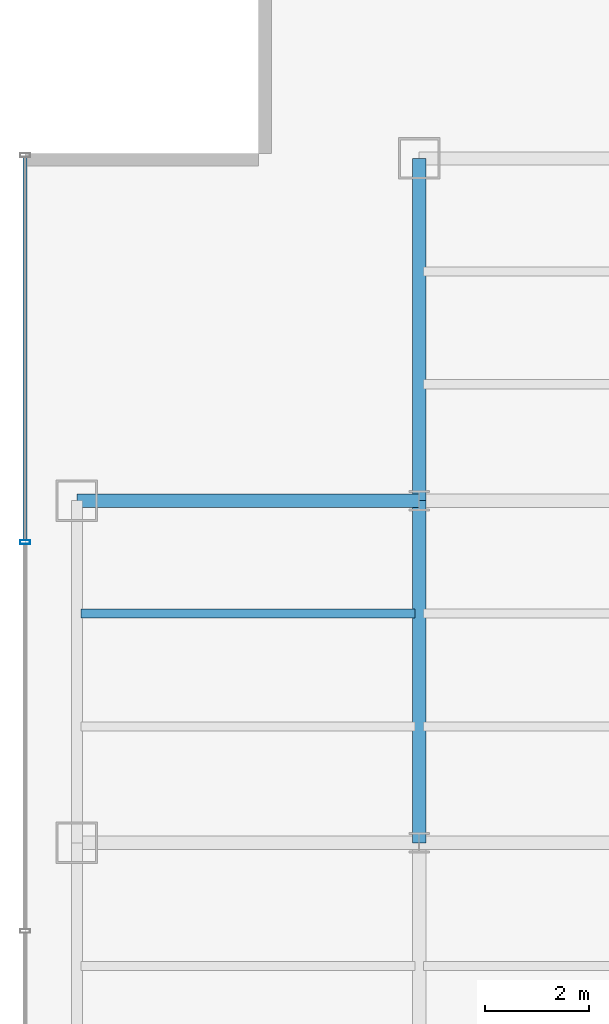
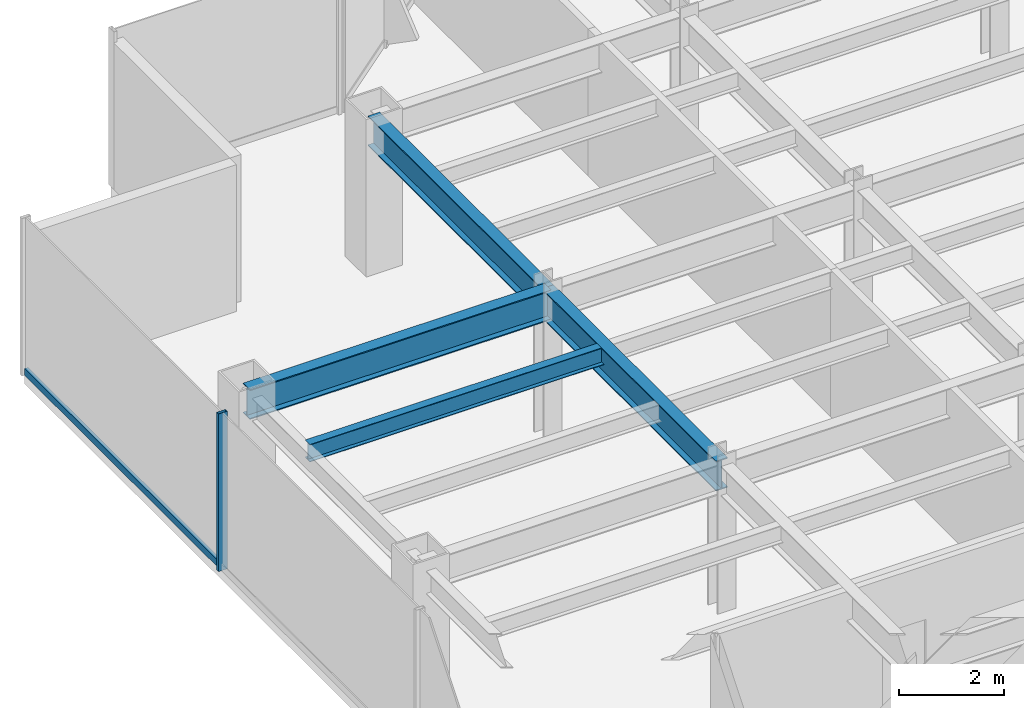
# One storey, part 6 of 26: 4 beams, 2 members, 1 element without a shape of its own.
"""IFC4 building model written with IfcOpenShell, lengths in metres."""

from ifc_helpers import new_model, si_unit, derived_unit, direction, frame, origin, origin_2d, place, context, subcontext, project, spatial, hollow_rectangle, i_section, extrude, source, transform, mapped, material, material_profile, profile_set, type_object, element, aggregate, save


model = new_model("IFC4")

# Units and contexts
model_context = context("Model", 3, precision=1e-05, world=origin(), true_north=direction((0.0, 1.0)))
body_context = subcontext(model_context, "Body", "Model", "MODEL_VIEW")
ifc_project = project(units=[si_unit("LENGTHUNIT", "METRE"), si_unit("AREAUNIT", "SQUARE_METRE"), si_unit("VOLUMEUNIT", "CUBIC_METRE"), si_unit("PLANEANGLEUNIT", "RADIAN"), si_unit("MASSUNIT", "GRAM", prefix="KILO"), derived_unit("THERMALTRANSMITTANCEUNIT", [(si_unit("POWERUNIT", "WATT"), 1), (si_unit("LENGTHUNIT", "METRE"), -2), (si_unit("THERMODYNAMICTEMPERATUREUNIT", "KELVIN"), -1)])], contexts=[model_context])

# Site, building, storey
site_placement = place(None, origin())
site = spatial("IfcSite", under=ifc_project, at=site_placement, CompositionType="ELEMENT")
building_placement = place(site_placement, origin())
building = spatial("IfcBuilding", under=site, at=building_placement, Name="Skarnbrae Concourse Arena and Tower", CompositionType="ELEMENT")
storey_placement = place(building_placement, frame((0.0, 0.0, 117.85009765625)))
storey = spatial("IfcBuildingStorey", under=building, at=storey_placement, Name="L29", CompositionType="ELEMENT", Elevation=117.85009765625)

# Beams
ifc_material_1 = material(Name="Steel CSA G40.21 350W", Category="steel")
ifc_material_profile_1 = material_profile(ifc_material_1, i_section(OverallWidth=0.256103515625, OverallDepth=0.693115234375, WebThickness=0.014404296875, FlangeThickness=0.023681640625, at=origin_2d()), Name="W690X170")
ifc_profile_set_1 = profile_set([ifc_material_profile_1], Name="Steel CSA G40.21 350W")
beam_type_1 = type_object("IfcBeamType", Name="BM-GIRD-W690X170", PredefinedType="BEAM", material=ifc_profile_set_1)
shared_shape_1 = source(origin(), body_context, "Body", "SweptSolid", [
    extrude(i_section(OverallWidth=0.256103515625, OverallDepth=0.693115234375, WebThickness=0.014404296875, FlangeThickness=0.023681640625, at=origin_2d()), origin(), (0.0, 0.0, 1.0), 6.60009765625),
])
for number, where, z_axis, x_axis, name in (
    (1, (1.0, 27.800048828125, 3.053466796875), (1.0, 0.0, 0.0), (0.0, 1.0, 0.0), "L29 Primary E-W girder Y27.8-1"),
    (2, (7.60009765625, 21.199951171875, 3.053466796875), (0.0, 1.0, 0.0), (-1.0, 0.0, 0.0), "L29 Primary N-S girder X7.6-2"),
):
    element("IfcBeam", number, at=place(storey_placement, frame(where, z_axis=z_axis, x_axis=x_axis)), inside=storey, type_object=beam_type_1, Name=name, PredefinedType="BEAM", context=body_context, shape_type="MappedRepresentation", body=[
        mapped(shared_shape_1, transform((0.0, 0.0, 0.0))),
    ])
shared_shape_2 = source(origin(), body_context, "Body", "SweptSolid", [
    extrude(i_section(OverallWidth=0.256103515625, OverallDepth=0.693115234375, WebThickness=0.014404296875, FlangeThickness=0.023681640625, at=origin_2d()), origin(), (0.0, 0.0, 1.0), 6.599853515625),
])
beam_1_placement = place(storey_placement, frame((7.60009765625, 27.800048828125, 3.053466796875), z_axis=(0.0, 1.0, 0.0), x_axis=(-1.0, 0.0, 0.0)))
element("IfcBeam", 3, at=beam_1_placement, inside=storey, type_object=beam_type_1, Name="L29 Primary N-S girder X7.6-3", PredefinedType="BEAM", context=body_context, shape_type="MappedRepresentation", body=[
    mapped(shared_shape_2, transform((0.0, 0.0, 0.0))),
])
ifc_material_profile_2 = material_profile(ifc_material_1, i_section(OverallWidth=0.177978515625, OverallDepth=0.406982421875, WebThickness=0.0078125, FlangeThickness=0.0126953125, at=origin_2d()), Name="W410X60")
ifc_profile_set_2 = profile_set([ifc_material_profile_2], Name="Steel CSA G40.21 350W")
beam_type_2 = type_object("IfcBeamType", Name="BM-JOIST-W410X60", PredefinedType="JOIST", material=ifc_profile_set_2)
shared_shape_3 = source(origin(), body_context, "Body", "SweptSolid", [
    extrude(i_section(OverallWidth=0.177978515625, OverallDepth=0.406982421875, WebThickness=0.0078125, FlangeThickness=0.0126953125, at=origin_2d()), origin(), (0.0, 0.0, 1.0), 6.43994140625),
])
beam_2_placement = place(storey_placement, frame((1.080078125, 25.6220703125, 3.1962890625), z_axis=(1.0, 0.0, 0.0), x_axis=(0.0, 1.0, 0.0)))
element("IfcBeam", 4, at=beam_2_placement, inside=storey, type_object=beam_type_2, Name="L29 Secondary floor joist 2.2.1", PredefinedType="JOIST", context=body_context, shape_type="MappedRepresentation", body=[
    mapped(shared_shape_3, transform((0.0, 0.0, 0.0))),
])

# Curtain wall, members
ifc_material_2 = material(Name="Bronze anodised aluminium 6063-T6", Category="aluminium")
curtain_wall_type = type_object("IfcCurtainWallType", Name="CW-SYS-04-MIDZONE", PredefinedType="USERDEFINED", material=ifc_material_2)
curtain_wall_placement = place(storey_placement, origin())
curtain_wall = element("IfcCurtainWall", 5, at=curtain_wall_placement, inside=storey, type_object=curtain_wall_type, Name="L29 Unitised curtain wall CW-L29-E19", ObjectType="UNITISED CURTAIN WALL", PredefinedType="USERDEFINED")
ifc_material_profile_3 = material_profile(ifc_material_2, hollow_rectangle(XDim=0.074951171875, YDim=0.159912109375, WallThickness=0.00439453125, at=origin_2d()), Name="ALU-TRAN-75X160")
ifc_profile_set_3 = profile_set([ifc_material_profile_3], Name="Bronze anodised aluminium 6063-T6")
member_type_1 = type_object("IfcMemberType", Name="CWT-CW-04", PredefinedType="USERDEFINED", material=ifc_profile_set_3)
shared_shape_4 = source(origin(), body_context, "Body", "SweptSolid", [
    extrude(hollow_rectangle(XDim=0.074951171875, YDim=0.159912109375, WallThickness=0.00439453125, at=origin_2d()), origin(), (0.0, 0.0, 1.0), 7.387451171875),
])
member_1_placement = place(storey_placement, frame((0.0, 34.425048828125, 0.079833984375), z_axis=(0.0, -1.0, 0.0), x_axis=(1.0, 0.0, 0.0)))
member_1 = element("IfcMember", 6, at=member_1_placement, type_object=member_type_1, Name="CW-L29-E19 Transom 1", ObjectType="TRANSOM", PredefinedType="USERDEFINED", context=body_context, shape_type="MappedRepresentation", body=[
    mapped(shared_shape_4, transform((0.0, 0.0, 0.0))),
])
ifc_material_profile_4 = material_profile(ifc_material_2, hollow_rectangle(XDim=0.074951171875, YDim=0.195068359375, WallThickness=0.00439453125, at=origin_2d()), Name="ALU-MULL-75X195")
ifc_profile_set_4 = profile_set([ifc_material_profile_4], Name="Bronze anodised aluminium 6063-T6")
member_type_2 = type_object("IfcMemberType", Name="CWM-CW-04", PredefinedType="MULLION", material=ifc_profile_set_4)
shared_shape_5 = source(origin(), body_context, "Body", "SweptSolid", [
    extrude(hollow_rectangle(XDim=0.074951171875, YDim=0.195068359375, WallThickness=0.00439453125, at=origin_2d()), origin(), (0.0, 0.0, 1.0), 3.64990234375),
])
member_2_placement = place(storey_placement, frame((0.0, 27.0, 0.0), z_axis=(0.0, 0.0, 1.0), x_axis=(0.0, -1.0, 0.0)))
member_2 = element("IfcMember", 7, at=member_2_placement, type_object=member_type_2, Name="CW-L29-E19 Mullion 2", PredefinedType="MULLION", context=body_context, shape_type="MappedRepresentation", body=[
    mapped(shared_shape_5, transform((0.0, 0.0, 0.0))),
])
aggregate(curtain_wall, [member_2, member_1])

save(model, "model.ifc")
